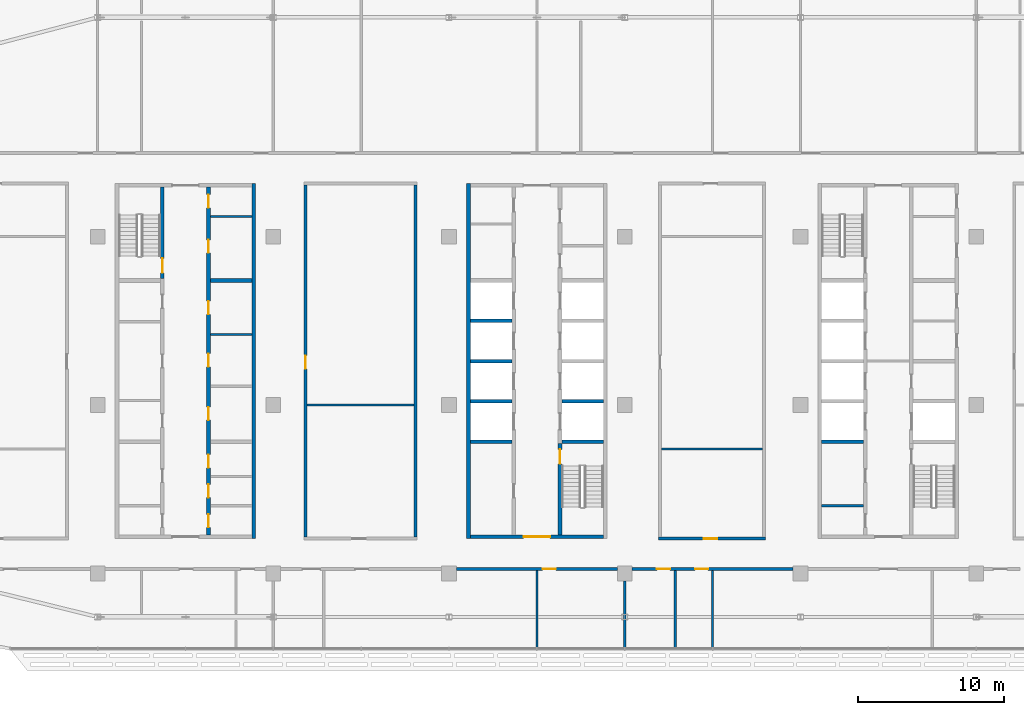
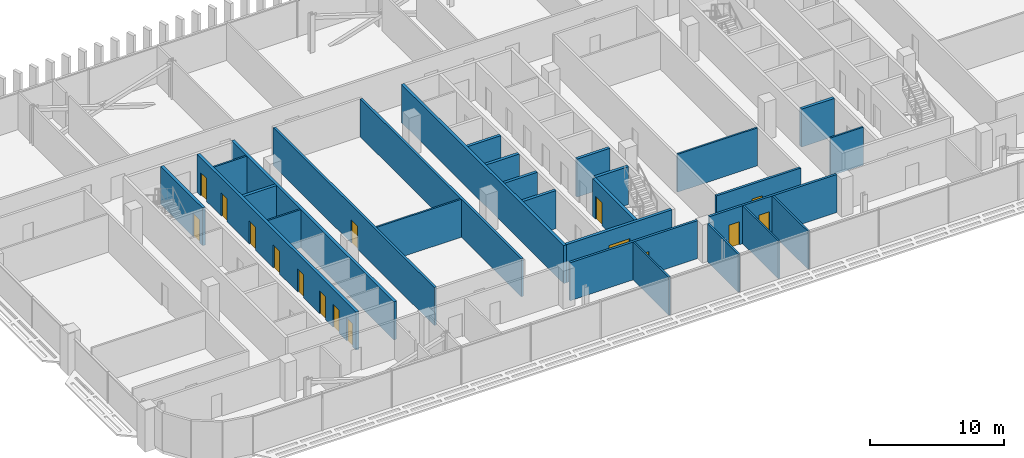
# One storey, part 18 of 32: 28 walls, 16 doors, 16 openings.
"""IFC4 building model written with IfcOpenShell, lengths in metres."""

from ifc_helpers import new_model, si_unit, direction, frame, frame_2d, origin, place, context, subcontext, project, spatial, rectangle, extrude, material, layer, layer_set, type_object, element, fill, save


model = new_model("IFC4")

# Units and contexts
model_context = context("Model", 3, precision=1e-05, world=origin(), true_north=direction((0.0, 1.0)))
body_context = subcontext(model_context, "Body", "Model", "MODEL_VIEW")
ifc_project = project(units=[si_unit("LENGTHUNIT", "METRE"), si_unit("AREAUNIT", "SQUARE_METRE"), si_unit("VOLUMEUNIT", "CUBIC_METRE"), si_unit("PLANEANGLEUNIT", "RADIAN"), si_unit("MASSUNIT", "GRAM", prefix="KILO")], contexts=[model_context])

# Site, building, storey
site_placement = place(None, origin())
site = spatial("IfcSite", under=ifc_project, at=site_placement, CompositionType="ELEMENT")
building_placement = place(site_placement, origin())
building = spatial("IfcBuilding", under=site, at=building_placement, Name="Mahtab Terrace Research Tower", CompositionType="ELEMENT")
storey_placement = place(building_placement, frame((0.0, 0.0, 232.39990234375)))
storey = spatial("IfcBuildingStorey", under=building, at=storey_placement, Name="L56", CompositionType="ELEMENT", Elevation=232.39990234375)

# Walls
ifc_material_1 = material(Name="Gypsum board partition")
ifc_layer_1 = layer(ifc_material_1, 0.14990234375)
ifc_layer_set_1 = layer_set([ifc_layer_1], Name="Core partition 150")
wall_type_1 = type_object("IfcWallType", Name="Core partition 150", PredefinedType="PARTITIONING", material=ifc_layer_set_1)
for number, where, z_axis, x_axis, name in (
    (1, (-22.300048828125, 4.827392578125, 0.0), (0.0, 0.0, 1.0), (1.0, 0.0, 0.0), "Core wall A pEL183"),
    (2, (-22.300048828125, 12.875, 0.0), (0.0, 0.0, 1.0), (1.0, 0.0, 0.0), "Core wall A pEN988"),
    (3, (19.449951171875, -6.875, 0.0), (0.0, 0.0, 1.0), (1.0, 0.0, 0.0), "Core wall C pWS-988"),
):
    element("IfcWall", number, at=place(storey_placement, frame(where, z_axis=z_axis, x_axis=x_axis)), inside=storey, type_object=wall_type_1, Name=name, PredefinedType="PARTITIONING", context=body_context, shape_type="SweptSolid", body=[
        extrude(rectangle(XDim=2.85009765625, YDim=0.14990234375, at=frame_2d((1.425048828125, 0.0))), origin(), (0.0, 0.0, 1.0), 3.460205078125),
    ])
ifc_material_2 = material(Name="Concrete C70/85", Category="concrete")
ifc_layer_2 = layer(ifc_material_2, 0.25)
ifc_layer_set_2 = layer_set([ifc_layer_2], Name="Core wall 250")
wall_type_2 = type_object("IfcWallType", Name="Core wall 250", PredefinedType="SOLIDWALL", material=ifc_layer_set_2)
wall_1_placement = place(storey_placement, frame((-19.324951171875, -9.125, 0.0), z_axis=(0.0, 0.0, 1.0), x_axis=(0.0, 1.0, 0.0)))
element("IfcWall", 4, at=wall_1_placement, inside=storey, type_object=wall_type_2, Name="Core wall A outerE", PredefinedType="SOLIDWALL", context=body_context, shape_type="SweptSolid", body=[
    extrude(rectangle(XDim=24.25, YDim=0.25, at=frame_2d((12.125, 0.0))), origin(), (0.0, 0.0, 1.0), 3.460205078125),
])

# Wall, opening, door
wall_2_placement = place(storey_placement, frame((-25.574951171875, 14.875, 0.0), z_axis=(0.0, 0.0, 1.0), x_axis=(0.0, -1.0, 0.0)))
wall_2 = element("IfcWall", 5, at=wall_2_placement, inside=storey, type_object=wall_type_2, Name="Core wall A innerWN", PredefinedType="SOLIDWALL", context=body_context, shape_type="SweptSolid", body=[
    extrude(rectangle(XDim=6.25, YDim=0.25, at=frame_2d((3.125, 0.0))), origin(), (0.0, 0.0, 1.0), 3.460205078125),
])
opening_1_placement = place(wall_2_placement, frame((4.85009765625, 0.0, 0.0)))
opening_1 = element("IfcOpeningElement", 6, at=opening_1_placement, cuts=wall_2, Name="Opening A-ST1", PredefinedType="OPENING", context=body_context, shape_type="SweptSolid", body=[
    extrude(rectangle(XDim=1.0, YDim=2.10009765625, at=frame_2d((0.5, 1.050048828125))), frame((0.0, 0.135009765625, 0.0), z_axis=(0.0, -1.0, 0.0), x_axis=(1.0, 0.0, 0.0)), (0.0, 0.0, 1.0), 0.27001953125),
])
ifc_material_3 = material(Name="Steel fire door", Category="steel")
door_type_1 = type_object("IfcDoorType", Name="Stair door 1000x2100 1.5 HR", OperationType="NOTDEFINED", PredefinedType="DOOR", material=ifc_material_3)
door_1_placement = place(opening_1_placement, origin())
door_1 = element("IfcDoor", 7, at=door_1_placement, inside=storey, type_object=door_type_1, Name="Stair door ST1 L56", OperationType="SINGLE_SWING_RIGHT", OverallHeight=2.10009765625, OverallWidth=1.0, PredefinedType="DOOR", context=body_context, shape_type="SweptSolid", body=[
    extrude(rectangle(XDim=1.0, YDim=2.10009765625, at=frame_2d((0.5, 1.050048828125))), frame((0.0, 0.02490234375, 0.0), z_axis=(0.0, -1.0, 0.0), x_axis=(1.0, 0.0, 0.0)), (0.0, 0.0, 1.0), 0.050048828125),
])
fill(opening_1, door_1)

# Wall, openings, doors
wall_3_placement = place(storey_placement, frame((-22.425048828125, 14.875, 0.0), z_axis=(0.0, 0.0, 1.0), x_axis=(0.0, -1.0, 0.0)))
wall_3 = element("IfcWall", 8, at=wall_3_placement, inside=storey, type_object=wall_type_2, Name="Core wall A innerESLN", PredefinedType="SOLIDWALL", context=body_context, shape_type="SweptSolid", body=[
    extrude(rectangle(XDim=23.75, YDim=0.25, at=frame_2d((11.875, 0.0))), origin(), (0.0, 0.0, 1.0), 3.460205078125),
])
opening_2_placement = place(wall_3_placement, frame((15.010009765625, 0.0, 0.0)))
opening_2 = element("IfcOpeningElement", 9, at=opening_2_placement, cuts=wall_3, Name="Opening A-R4", PredefinedType="OPENING", context=body_context, shape_type="SweptSolid", body=[
    extrude(rectangle(XDim=0.89990234375, YDim=2.10009765625, at=frame_2d((0.449951171875, 1.050048828125))), frame((0.0, 0.135009765625, 0.0), z_axis=(0.0, -1.0, 0.0), x_axis=(1.0, 0.0, 0.0)), (0.0, 0.0, 1.0), 0.27001953125),
])
opening_3_placement = place(wall_3_placement, frame((11.37109375, 0.0, 0.0)))
opening_3 = element("IfcOpeningElement", 10, at=opening_3_placement, cuts=wall_3, Name="Opening A-R5", PredefinedType="OPENING", context=body_context, shape_type="SweptSolid", body=[
    extrude(rectangle(XDim=0.89990234375, YDim=2.10009765625, at=frame_2d((0.449951171875, 1.050048828125))), frame((0.0, 0.135009765625, 0.0), z_axis=(0.0, -1.0, 0.0), x_axis=(1.0, 0.0, 0.0)), (0.0, 0.0, 1.0), 0.27001953125),
])
opening_4_placement = place(wall_3_placement, frame((7.7861328125, 0.0, 0.0)))
opening_4 = element("IfcOpeningElement", 11, at=opening_4_placement, cuts=wall_3, Name="Opening A-R6", PredefinedType="OPENING", context=body_context, shape_type="SweptSolid", body=[
    extrude(rectangle(XDim=0.89990234375, YDim=2.10009765625, at=frame_2d((0.449951171875, 1.050048828125))), frame((0.0, 0.135009765625, 0.0), z_axis=(0.0, -1.0, 0.0), x_axis=(1.0, 0.0, 0.0)), (0.0, 0.0, 1.0), 0.27001953125),
])
opening_5_placement = place(wall_3_placement, frame((22.33740234375, 0.0, 0.0)))
opening_5 = element("IfcOpeningElement", 12, at=opening_5_placement, cuts=wall_3, Name="Opening A-R9", PredefinedType="OPENING", context=body_context, shape_type="SweptSolid", body=[
    extrude(rectangle(XDim=0.89990234375, YDim=2.10009765625, at=frame_2d((0.449951171875, 1.050048828125))), frame((0.0, 0.135009765625, 0.0), z_axis=(0.0, -1.0, 0.0), x_axis=(1.0, 0.0, 0.0)), (0.0, 0.0, 1.0), 0.27001953125),
])
opening_6_placement = place(wall_3_placement, frame((20.300048828125, 0.0, 0.0)))
opening_6 = element("IfcOpeningElement", 13, at=opening_6_placement, cuts=wall_3, Name="Opening A-R10", PredefinedType="OPENING", context=body_context, shape_type="SweptSolid", body=[
    extrude(rectangle(XDim=0.89990234375, YDim=2.10009765625, at=frame_2d((0.449951171875, 1.050048828125))), frame((0.0, 0.135009765625, 0.0), z_axis=(0.0, -1.0, 0.0), x_axis=(1.0, 0.0, 0.0)), (0.0, 0.0, 1.0), 0.27001953125),
])
opening_7_placement = place(wall_3_placement, frame((18.262451171875, 0.0, 0.0)))
opening_7 = element("IfcOpeningElement", 14, at=opening_7_placement, cuts=wall_3, Name="Opening A-R11", PredefinedType="OPENING", context=body_context, shape_type="SweptSolid", body=[
    extrude(rectangle(XDim=0.89990234375, YDim=2.10009765625, at=frame_2d((0.449951171875, 1.050048828125))), frame((0.0, 0.135009765625, 0.0), z_axis=(0.0, -1.0, 0.0), x_axis=(1.0, 0.0, 0.0)), (0.0, 0.0, 1.0), 0.27001953125),
])
opening_8_placement = place(wall_3_placement, frame((3.58740234375, 0.0, 0.0)))
opening_8 = element("IfcOpeningElement", 15, at=opening_8_placement, cuts=wall_3, Name="Opening A-R12", PredefinedType="OPENING", context=body_context, shape_type="SweptSolid", body=[
    extrude(rectangle(XDim=0.89990234375, YDim=2.10009765625, at=frame_2d((0.449951171875, 1.050048828125))), frame((0.0, 0.135009765625, 0.0), z_axis=(0.0, -1.0, 0.0), x_axis=(1.0, 0.0, 0.0)), (0.0, 0.0, 1.0), 0.27001953125),
])
opening_9_placement = place(wall_3_placement, frame((0.512451171875, 0.0, 0.0)))
opening_9 = element("IfcOpeningElement", 16, at=opening_9_placement, cuts=wall_3, Name="Opening A-R13", PredefinedType="OPENING", context=body_context, shape_type="SweptSolid", body=[
    extrude(rectangle(XDim=0.89990234375, YDim=2.10009765625, at=frame_2d((0.449951171875, 1.050048828125))), frame((0.0, 0.135009765625, 0.0), z_axis=(0.0, -1.0, 0.0), x_axis=(1.0, 0.0, 0.0)), (0.0, 0.0, 1.0), 0.27001953125),
])
door_type_2 = type_object("IfcDoorType", Name="Room door 900x2100 1 HR", OperationType="NOTDEFINED", PredefinedType="DOOR", material=ifc_material_3)
door_2_placement = place(opening_2_placement, origin())
door_2 = element("IfcDoor", 17, at=door_2_placement, inside=storey, type_object=door_type_2, Name="Battery room door", OperationType="SINGLE_SWING_RIGHT", OverallHeight=2.10009765625, OverallWidth=0.89990234375, PredefinedType="DOOR", context=body_context, shape_type="SweptSolid", body=[
    extrude(rectangle(XDim=0.89990234375, YDim=2.10009765625, at=frame_2d((0.449951171875, 1.050048828125))), frame((0.0, 0.02490234375, 0.0), z_axis=(0.0, -1.0, 0.0), x_axis=(1.0, 0.0, 0.0)), (0.0, 0.0, 1.0), 0.050048828125),
])
fill(opening_2, door_2)
door_3_placement = place(opening_3_placement, origin())
door_3 = element("IfcDoor", 18, at=door_3_placement, inside=storey, type_object=door_type_2, Name="Cooling plant room door", OperationType="SINGLE_SWING_LEFT", OverallHeight=2.10009765625, OverallWidth=0.89990234375, PredefinedType="DOOR", context=body_context, shape_type="SweptSolid", body=[
    extrude(rectangle(XDim=0.89990234375, YDim=2.10009765625, at=frame_2d((0.449951171875, 1.050048828125))), frame((0.0, 0.02490234375, 0.0), z_axis=(0.0, -1.0, 0.0), x_axis=(1.0, 0.0, 0.0)), (0.0, 0.0, 1.0), 0.050048828125),
])
fill(opening_3, door_3)
door_4_placement = place(opening_4_placement, origin())
door_4 = element("IfcDoor", 19, at=door_4_placement, inside=storey, type_object=door_type_2, Name="Spare parts store door", OperationType="SINGLE_SWING_RIGHT", OverallHeight=2.10009765625, OverallWidth=0.89990234375, PredefinedType="DOOR", context=body_context, shape_type="SweptSolid", body=[
    extrude(rectangle(XDim=0.89990234375, YDim=2.10009765625, at=frame_2d((0.449951171875, 1.050048828125))), frame((0.0, 0.02490234375, 0.0), z_axis=(0.0, -1.0, 0.0), x_axis=(1.0, 0.0, 0.0)), (0.0, 0.0, 1.0), 0.050048828125),
])
fill(opening_4, door_4)
door_5_placement = place(opening_5_placement, origin())
door_5 = element("IfcDoor", 20, at=door_5_placement, inside=storey, type_object=door_type_2, Name="Comms riser room door", OperationType="SINGLE_SWING_LEFT", OverallHeight=2.10009765625, OverallWidth=0.89990234375, PredefinedType="DOOR", context=body_context, shape_type="SweptSolid", body=[
    extrude(rectangle(XDim=0.89990234375, YDim=2.10009765625, at=frame_2d((0.449951171875, 1.050048828125))), frame((0.0, 0.02490234375, 0.0), z_axis=(0.0, -1.0, 0.0), x_axis=(1.0, 0.0, 0.0)), (0.0, 0.0, 1.0), 0.050048828125),
])
fill(opening_5, door_5)
door_6_placement = place(opening_6_placement, origin())
door_6 = element("IfcDoor", 21, at=door_6_placement, inside=storey, type_object=door_type_2, Name="Pantry door", OperationType="SINGLE_SWING_RIGHT", OverallHeight=2.10009765625, OverallWidth=0.89990234375, PredefinedType="DOOR", context=body_context, shape_type="SweptSolid", body=[
    extrude(rectangle(XDim=0.89990234375, YDim=2.10009765625, at=frame_2d((0.449951171875, 1.050048828125))), frame((0.0, 0.02490234375, 0.0), z_axis=(0.0, -1.0, 0.0), x_axis=(1.0, 0.0, 0.0)), (0.0, 0.0, 1.0), 0.050048828125),
])
fill(opening_6, door_6)
door_7_placement = place(opening_7_placement, origin())
door_7 = element("IfcDoor", 22, at=door_7_placement, inside=storey, type_object=door_type_2, Name="Cleaners store door", OperationType="SINGLE_SWING_LEFT", OverallHeight=2.10009765625, OverallWidth=0.89990234375, PredefinedType="DOOR", context=body_context, shape_type="SweptSolid", body=[
    extrude(rectangle(XDim=0.89990234375, YDim=2.10009765625, at=frame_2d((0.449951171875, 1.050048828125))), frame((0.0, 0.02490234375, 0.0), z_axis=(0.0, -1.0, 0.0), x_axis=(1.0, 0.0, 0.0)), (0.0, 0.0, 1.0), 0.050048828125),
])
fill(opening_7, door_7)
door_8_placement = place(opening_8_placement, origin())
door_8 = element("IfcDoor", 23, at=door_8_placement, inside=storey, type_object=door_type_2, Name="IT equipment room door", OperationType="SINGLE_SWING_RIGHT", OverallHeight=2.10009765625, OverallWidth=0.89990234375, PredefinedType="DOOR", context=body_context, shape_type="SweptSolid", body=[
    extrude(rectangle(XDim=0.89990234375, YDim=2.10009765625, at=frame_2d((0.449951171875, 1.050048828125))), frame((0.0, 0.02490234375, 0.0), z_axis=(0.0, -1.0, 0.0), x_axis=(1.0, 0.0, 0.0)), (0.0, 0.0, 1.0), 0.050048828125),
])
fill(opening_8, door_8)
door_9_placement = place(opening_9_placement, origin())
door_9 = element("IfcDoor", 24, at=door_9_placement, inside=storey, type_object=door_type_2, Name="Electrical riser room door", OperationType="SINGLE_SWING_LEFT", OverallHeight=2.10009765625, OverallWidth=0.89990234375, PredefinedType="DOOR", context=body_context, shape_type="SweptSolid", body=[
    extrude(rectangle(XDim=0.89990234375, YDim=2.10009765625, at=frame_2d((0.449951171875, 1.050048828125))), frame((0.0, 0.02490234375, 0.0), z_axis=(0.0, -1.0, 0.0), x_axis=(1.0, 0.0, 0.0)), (0.0, 0.0, 1.0), 0.050048828125),
])
fill(opening_9, door_9)

# Walls
wall_4_placement = place(storey_placement, frame((-22.300048828125, 8.5, 0.0), z_axis=(0.0, 0.0, 1.0), x_axis=(1.0, 0.0, 0.0)))
element("IfcWall", 25, at=wall_4_placement, inside=storey, type_object=wall_type_2, Name="Core wall A divE4", PredefinedType="SOLIDWALL", context=body_context, shape_type="SweptSolid", body=[
    extrude(rectangle(XDim=2.85009765625, YDim=0.25, at=frame_2d((1.425048828125, 0.0))), origin(), (0.0, 0.0, 1.0), 3.460205078125),
])
wall_5_placement = place(storey_placement, frame((-4.675048828125, 15.125, 0.0), z_axis=(0.0, 0.0, 1.0), x_axis=(0.0, -1.0, 0.0)))
element("IfcWall", 26, at=wall_5_placement, inside=storey, type_object=wall_type_2, Name="Core wall B outerW", PredefinedType="SOLIDWALL", context=body_context, shape_type="SweptSolid", body=[
    extrude(rectangle(XDim=24.25, YDim=0.25, at=frame_2d((12.125, 0.0))), origin(), (0.0, 0.0, 1.0), 3.460205078125),
])

# Wall, opening, door
wall_6_placement = place(storey_placement, frame((4.550048828125, -9.0, 0.0), z_axis=(0.0, 0.0, 1.0), x_axis=(-1.0, 0.0, 0.0)))
wall_6 = element("IfcWall", 27, at=wall_6_placement, inside=storey, type_object=wall_type_2, Name="Core wall B endS", PredefinedType="SOLIDWALL", context=body_context, shape_type="SweptSolid", body=[
    extrude(rectangle(XDim=9.10009765625, YDim=0.25, at=frame_2d((4.550048828125, 0.0))), origin(), (0.0, 0.0, 1.0), 3.460205078125),
])
opening_10_placement = place(wall_6_placement, frame((3.64990234375, 0.0, 0.0)))
opening_10 = element("IfcOpeningElement", 28, at=opening_10_placement, cuts=wall_6, Name="Opening B-S1", PredefinedType="OPENING", context=body_context, shape_type="SweptSolid", body=[
    extrude(rectangle(XDim=1.800048828125, YDim=2.10009765625, at=frame_2d((0.89990234375, 1.050048828125))), frame((0.0, 0.135009765625, 0.0), z_axis=(0.0, -1.0, 0.0), x_axis=(1.0, 0.0, 0.0)), (0.0, 0.0, 1.0), 0.27001953125),
])
door_type_3 = type_object("IfcDoorType", Name="Lobby double door 1800x2100 1 HR", OperationType="DOUBLE_DOOR_SINGLE_SWING", PredefinedType="DOOR", material=ifc_material_3)
door_10_placement = place(opening_10_placement, origin())
door_10 = element("IfcDoor", 29, at=door_10_placement, inside=storey, type_object=door_type_3, Name="Core entrance door B S", OperationType="DOUBLE_DOOR_SINGLE_SWING", OverallHeight=2.10009765625, OverallWidth=1.800048828125, PredefinedType="DOOR", context=body_context, shape_type="SweptSolid", body=[
    extrude(rectangle(XDim=1.800048828125, YDim=2.10009765625, at=frame_2d((0.89990234375, 1.050048828125))), frame((0.0, 0.02490234375, 0.0), z_axis=(0.0, -1.0, 0.0), x_axis=(1.0, 0.0, 0.0)), (0.0, 0.0, 1.0), 0.050048828125),
])
fill(opening_10, door_10)

wall_7_placement = place(storey_placement, frame((1.574951171875, -8.875, 0.0), z_axis=(0.0, 0.0, 1.0), x_axis=(0.0, 1.0, 0.0)))
wall_7 = element("IfcWall", 30, at=wall_7_placement, inside=storey, type_object=wall_type_2, Name="Core wall B innerES", PredefinedType="SOLIDWALL", context=body_context, shape_type="SweptSolid", body=[
    extrude(rectangle(XDim=6.25, YDim=0.25, at=frame_2d((3.125, 0.0))), origin(), (0.0, 0.0, 1.0), 3.460205078125),
])
opening_11_placement = place(wall_7_placement, frame((4.85009765625, 0.0, 0.0)))
opening_11 = element("IfcOpeningElement", 31, at=opening_11_placement, cuts=wall_7, Name="Opening B-ST2", PredefinedType="OPENING", context=body_context, shape_type="SweptSolid", body=[
    extrude(rectangle(XDim=1.0, YDim=2.10009765625, at=frame_2d((0.5, 1.050048828125))), frame((0.0, 0.135009765625, 0.0), z_axis=(0.0, -1.0, 0.0), x_axis=(1.0, 0.0, 0.0)), (0.0, 0.0, 1.0), 0.27001953125),
])
door_11_placement = place(opening_11_placement, origin())
door_11 = element("IfcDoor", 32, at=door_11_placement, inside=storey, type_object=door_type_1, Name="Stair door ST2 L56", OperationType="SINGLE_SWING_RIGHT", OverallHeight=2.10009765625, OverallWidth=1.0, PredefinedType="DOOR", context=body_context, shape_type="SweptSolid", body=[
    extrude(rectangle(XDim=1.0, YDim=2.10009765625, at=frame_2d((0.5, 1.050048828125))), frame((0.0, 0.02490234375, 0.0), z_axis=(0.0, -1.0, 0.0), x_axis=(1.0, 0.0, 0.0)), (0.0, 0.0, 1.0), 0.050048828125),
])
fill(opening_11, door_11)

# Walls
for number, where, z_axis, x_axis, name in (
    (33, (-4.550048828125, -2.5, 0.0), (0.0, 0.0, 1.0), (1.0, 0.0, 0.0), "Core wall B divW0"),
    (34, (-4.550048828125, 0.25, 0.0), (0.0, 0.0, 1.0), (1.0, 0.0, 0.0), "Core wall B divW1"),
    (35, (-4.550048828125, 3.0, 0.0), (0.0, 0.0, 1.0), (1.0, 0.0, 0.0), "Core wall B divW2"),
    (36, (-4.550048828125, 5.75, 0.0), (0.0, 0.0, 1.0), (1.0, 0.0, 0.0), "Core wall B divW3"),
    (37, (1.699951171875, -2.5, 0.0), (0.0, 0.0, 1.0), (1.0, 0.0, 0.0), "Core wall B divE0"),
    (38, (1.699951171875, 0.25, 0.0), (0.0, 0.0, 1.0), (1.0, 0.0, 0.0), "Core wall B divE1"),
    (39, (19.449951171875, -2.5, 0.0), (0.0, 0.0, 1.0), (1.0, 0.0, 0.0), "Core wall C divW0"),
):
    element("IfcWall", number, at=place(storey_placement, frame(where, z_axis=z_axis, x_axis=x_axis)), inside=storey, type_object=wall_type_2, Name=name, PredefinedType="SOLIDWALL", context=body_context, shape_type="SweptSolid", body=[
        extrude(rectangle(XDim=2.85009765625, YDim=0.25, at=frame_2d((1.425048828125, 0.0))), origin(), (0.0, 0.0, 1.0), 3.460205078125),
    ])

# Wall, opening, door
ifc_material_4 = material(Name="Gypsum board corridor wall on steel studs", Category="steel")
ifc_layer_3 = layer(ifc_material_4, 0.199951171875)
ifc_layer_set_3 = layer_set([ifc_layer_3], Name="WALL CORRIDOR 200")
wall_type_3 = type_object("IfcWallType", Name="WALL CORRIDOR 200", PredefinedType="PARTITIONING", material=ifc_layer_set_3)
wall_8_placement = place(storey_placement, frame((-5.5, -11.199951171875, 0.0), z_axis=(0.0, 0.0, 1.0), x_axis=(1.0, 0.0, 0.0)))
wall_8 = element("IfcWall", 40, at=wall_8_placement, inside=storey, type_object=wall_type_3, Name="L56-W004", PredefinedType="PARTITIONING", context=body_context, shape_type="SweptSolid", body=[
    extrude(rectangle(XDim=11.0, YDim=0.199951171875, at=frame_2d((5.5, 0.0))), origin(), (0.0, 0.0, 1.0), 3.460205078125),
])
opening_12_placement = place(wall_8_placement, frame((5.89990234375, 0.0, 0.0)))
opening_12 = element("IfcOpeningElement", 41, at=opening_12_placement, cuts=wall_8, Name="Opening L56-106", PredefinedType="OPENING", context=body_context, shape_type="SweptSolid", body=[
    extrude(rectangle(XDim=0.89990234375, YDim=2.10009765625, at=frame_2d((0.449951171875, 1.050048828125))), frame((0.0, 0.10986328125, 0.0), z_axis=(0.0, -1.0, 0.0), x_axis=(1.0, 0.0, 0.0)), (0.0, 0.0, 1.0), 0.219970703125),
])
ifc_material_5 = material(Name="Timber door leaf in steel frame", Category="steel")
door_type_4 = type_object("IfcDoorType", Name="DOOR 0900X2100 FD30S", OperationType="SINGLE_SWING_LEFT", PredefinedType="DOOR", material=ifc_material_5)
door_12_placement = place(opening_12_placement, origin())
door_12 = element("IfcDoor", 42, at=door_12_placement, inside=storey, type_object=door_type_4, Name="Door L56-106", OperationType="SINGLE_SWING_LEFT", OverallHeight=2.10009765625, OverallWidth=0.89990234375, PredefinedType="DOOR", context=body_context, shape_type="SweptSolid", body=[
    extrude(rectangle(XDim=0.89990234375, YDim=2.10009765625, at=frame_2d((0.449951171875, 1.050048828125))), frame((0.0, 0.02490234375, 0.0), z_axis=(0.0, -1.0, 0.0), x_axis=(1.0, 0.0, 0.0)), (0.0, 0.0, 1.0), 0.050048828125),
])
fill(opening_12, door_12)

# Wall, openings, doors
wall_9_placement = place(storey_placement, frame((6.5, -11.199951171875, 0.0), z_axis=(0.0, 0.0, 1.0), x_axis=(1.0, 0.0, 0.0)))
wall_9 = element("IfcWall", 43, at=wall_9_placement, inside=storey, type_object=wall_type_3, Name="L56-W005", PredefinedType="PARTITIONING", context=body_context, shape_type="SweptSolid", body=[
    extrude(rectangle(XDim=11.0, YDim=0.199951171875, at=frame_2d((5.5, 0.0))), origin(), (0.0, 0.0, 1.0), 3.460205078125),
])
opening_13_placement = place(wall_9_placement, frame((1.699951171875, 0.0, 0.0)))
opening_13 = element("IfcOpeningElement", 44, at=opening_13_placement, cuts=wall_9, Name="Opening L56-107", PredefinedType="OPENING", context=body_context, shape_type="SweptSolid", body=[
    extrude(rectangle(XDim=0.89990234375, YDim=2.10009765625, at=frame_2d((0.449951171875, 1.050048828125))), frame((0.0, 0.10986328125, 0.0), z_axis=(0.0, -1.0, 0.0), x_axis=(1.0, 0.0, 0.0)), (0.0, 0.0, 1.0), 0.219970703125),
])
opening_14_placement = place(wall_9_placement, frame((4.300048828125, 0.0, 0.0)))
opening_14 = element("IfcOpeningElement", 45, at=opening_14_placement, cuts=wall_9, Name="Opening L56-108", PredefinedType="OPENING", context=body_context, shape_type="SweptSolid", body=[
    extrude(rectangle(XDim=0.89990234375, YDim=2.10009765625, at=frame_2d((0.449951171875, 1.050048828125))), frame((0.0, 0.10986328125, 0.0), z_axis=(0.0, -1.0, 0.0), x_axis=(1.0, 0.0, 0.0)), (0.0, 0.0, 1.0), 0.219970703125),
])
door_13_placement = place(opening_13_placement, origin())
door_13 = element("IfcDoor", 46, at=door_13_placement, inside=storey, type_object=door_type_4, Name="Door L56-107", OperationType="SINGLE_SWING_RIGHT", OverallHeight=2.10009765625, OverallWidth=0.89990234375, PredefinedType="DOOR", context=body_context, shape_type="SweptSolid", body=[
    extrude(rectangle(XDim=0.89990234375, YDim=2.10009765625, at=frame_2d((0.449951171875, 1.050048828125))), frame((0.0, 0.02490234375, 0.0), z_axis=(0.0, -1.0, 0.0), x_axis=(1.0, 0.0, 0.0)), (0.0, 0.0, 1.0), 0.050048828125),
])
fill(opening_13, door_13)
door_14_placement = place(opening_14_placement, origin())
door_14 = element("IfcDoor", 47, at=door_14_placement, inside=storey, type_object=door_type_4, Name="Door L56-108", OperationType="SINGLE_SWING_RIGHT", OverallHeight=2.10009765625, OverallWidth=0.89990234375, PredefinedType="DOOR", context=body_context, shape_type="SweptSolid", body=[
    extrude(rectangle(XDim=0.89990234375, YDim=2.10009765625, at=frame_2d((0.449951171875, 1.050048828125))), frame((0.0, 0.02490234375, 0.0), z_axis=(0.0, -1.0, 0.0), x_axis=(1.0, 0.0, 0.0)), (0.0, 0.0, 1.0), 0.050048828125),
])
fill(opening_14, door_14)

# Wall, opening, door
wall_10_placement = place(storey_placement, frame((8.300048828125, -9.125, 0.0), z_axis=(0.0, 0.0, 1.0), x_axis=(1.0, 0.0, 0.0)))
wall_10 = element("IfcWall", 48, at=wall_10_placement, inside=storey, type_object=wall_type_3, Name="L56-W012", PredefinedType="PARTITIONING", context=body_context, shape_type="SweptSolid", body=[
    extrude(rectangle(XDim=7.300048828125, YDim=0.199951171875, at=frame_2d((3.64990234375, 0.0))), origin(), (0.0, 0.0, 1.0), 3.460205078125),
])
opening_15_placement = place(wall_10_placement, frame((3.10009765625, 0.0, 0.0)))
opening_15 = element("IfcOpeningElement", 49, at=opening_15_placement, cuts=wall_10, Name="Opening L56-113", PredefinedType="OPENING", context=body_context, shape_type="SweptSolid", body=[
    extrude(rectangle(XDim=0.89990234375, YDim=2.10009765625, at=frame_2d((0.449951171875, 1.050048828125))), frame((0.0, 0.10986328125, 0.0), z_axis=(0.0, -1.0, 0.0), x_axis=(1.0, 0.0, 0.0)), (0.0, 0.0, 1.0), 0.219970703125),
])
door_15_placement = place(opening_15_placement, origin())
door_15 = element("IfcDoor", 50, at=door_15_placement, inside=storey, type_object=door_type_4, Name="Door L56-113", OperationType="SINGLE_SWING_LEFT", OverallHeight=2.10009765625, OverallWidth=0.89990234375, PredefinedType="DOOR", context=body_context, shape_type="SweptSolid", body=[
    extrude(rectangle(XDim=0.89990234375, YDim=2.10009765625, at=frame_2d((0.449951171875, 1.050048828125))), frame((0.0, 0.02490234375, 0.0), z_axis=(0.0, -1.0, 0.0), x_axis=(1.0, 0.0, 0.0)), (0.0, 0.0, 1.0), 0.050048828125),
])
fill(opening_15, door_15)

wall_11_placement = place(storey_placement, frame((-15.800048828125, -9.02490234375, 0.0), z_axis=(0.0, 0.0, 1.0), x_axis=(0.0, 1.0, 0.0)))
wall_11 = element("IfcWall", 51, at=wall_11_placement, inside=storey, type_object=wall_type_3, Name="L56-W035", PredefinedType="PARTITIONING", context=body_context, shape_type="SweptSolid", body=[
    extrude(rectangle(XDim=24.0498046875, YDim=0.199951171875, at=frame_2d((12.02490234375, 0.0))), origin(), (0.0, 0.0, 1.0), 3.460205078125),
])
opening_16_placement = place(wall_11_placement, frame((11.5, 0.0, 0.0)))
opening_16 = element("IfcOpeningElement", 52, at=opening_16_placement, cuts=wall_11, Name="Opening L56-118", PredefinedType="OPENING", context=body_context, shape_type="SweptSolid", body=[
    extrude(rectangle(XDim=0.89990234375, YDim=2.10009765625, at=frame_2d((0.449951171875, 1.050048828125))), frame((0.0, 0.10986328125, 0.0), z_axis=(0.0, -1.0, 0.0), x_axis=(1.0, 0.0, 0.0)), (0.0, 0.0, 1.0), 0.219970703125),
])
door_16_placement = place(opening_16_placement, origin())
door_16 = element("IfcDoor", 53, at=door_16_placement, inside=storey, type_object=door_type_4, Name="Door L56-118", OperationType="SINGLE_SWING_RIGHT", OverallHeight=2.10009765625, OverallWidth=0.89990234375, PredefinedType="DOOR", context=body_context, shape_type="SweptSolid", body=[
    extrude(rectangle(XDim=0.89990234375, YDim=2.10009765625, at=frame_2d((0.449951171875, 1.050048828125))), frame((0.0, 0.02490234375, 0.0), z_axis=(0.0, -1.0, 0.0), x_axis=(1.0, 0.0, 0.0)), (0.0, 0.0, 1.0), 0.050048828125),
])
fill(opening_16, door_16)

# Walls
wall_12_placement = place(storey_placement, frame((-8.300048828125, -9.02490234375, 0.0), z_axis=(0.0, 0.0, 1.0), x_axis=(0.0, 1.0, 0.0)))
element("IfcWall", 54, at=wall_12_placement, inside=storey, type_object=wall_type_3, Name="L56-W038", PredefinedType="PARTITIONING", context=body_context, shape_type="SweptSolid", body=[
    extrude(rectangle(XDim=24.0498046875, YDim=0.199951171875, at=frame_2d((12.02490234375, 0.0))), origin(), (0.0, 0.0, 1.0), 3.460205078125),
])
ifc_material_6 = material(Name="Gypsum board partition on steel studs", Category="steel")
ifc_layer_4 = layer(ifc_material_6, 0.14990234375)
ifc_layer_set_4 = layer_set([ifc_layer_4], Name="WALL PARTITION 150")
wall_type_4 = type_object("IfcWallType", Name="WALL PARTITION 150", PredefinedType="PARTITIONING", material=ifc_layer_set_4)
wall_13_placement = place(storey_placement, frame((8.5, -3.0, 0.0), z_axis=(0.0, 0.0, 1.0), x_axis=(1.0, 0.0, 0.0)))
element("IfcWall", 55, at=wall_13_placement, inside=storey, type_object=wall_type_4, Name="L56-W015", PredefinedType="PARTITIONING", context=body_context, shape_type="SweptSolid", body=[
    extrude(rectangle(XDim=6.89990234375, YDim=0.14990234375, at=frame_2d((3.449951171875, 0.0))), origin(), (0.0, 0.0, 1.0), 3.460205078125),
])
wall_14_placement = place(storey_placement, frame((-15.699951171875, 0.0, 0.0), z_axis=(0.0, 0.0, 1.0), x_axis=(1.0, 0.0, 0.0)))
element("IfcWall", 56, at=wall_14_placement, inside=storey, type_object=wall_type_4, Name="L56-W016", PredefinedType="PARTITIONING", context=body_context, shape_type="SweptSolid", body=[
    extrude(rectangle(XDim=7.300048828125, YDim=0.14990234375, at=frame_2d((3.64990234375, 0.0))), origin(), (0.0, 0.0, 1.0), 3.460205078125),
])
wall_15_placement = place(storey_placement, frame((0.0, -16.614013671875, 0.0), z_axis=(0.0, 0.0, 1.0), x_axis=(0.0, 1.0, 0.0)))
element("IfcWall", 57, at=wall_15_placement, inside=storey, type_object=wall_type_4, Name="L56-W039", PredefinedType="PARTITIONING", context=body_context, shape_type="SweptSolid", body=[
    extrude(rectangle(XDim=5.31396484375, YDim=0.14990234375, at=frame_2d((2.656982421875, 0.0))), origin(), (0.0, 0.0, 1.0), 3.460205078125),
])
wall_16_placement = place(storey_placement, frame((6.0, -16.614013671875, 0.0), z_axis=(0.0, 0.0, 1.0), x_axis=(0.0, 1.0, 0.0)))
element("IfcWall", 58, at=wall_16_placement, inside=storey, type_object=wall_type_4, Name="L56-W043", PredefinedType="PARTITIONING", context=body_context, shape_type="SweptSolid", body=[
    extrude(rectangle(XDim=4.614013671875, YDim=0.14990234375, at=frame_2d((2.30712890625, 0.0))), origin(), (0.0, 0.0, 1.0), 3.460205078125),
])
for number, where, z_axis, x_axis, name in (
    (59, (9.449951171875, -16.614013671875, 0.0), (0.0, 0.0, 1.0), (0.0, 1.0, 0.0), "L56-W045"),
    (60, (12.0, -16.614013671875, 0.0), (0.0, 0.0, 1.0), (0.0, 1.0, 0.0), "L56-W046"),
):
    element("IfcWall", number, at=place(storey_placement, frame(where, z_axis=z_axis, x_axis=x_axis)), inside=storey, type_object=wall_type_4, Name=name, PredefinedType="PARTITIONING", context=body_context, shape_type="SweptSolid", body=[
        extrude(rectangle(XDim=5.31396484375, YDim=0.14990234375, at=frame_2d((2.656982421875, 0.0))), origin(), (0.0, 0.0, 1.0), 3.460205078125),
    ])

save(model, "model.ifc")
